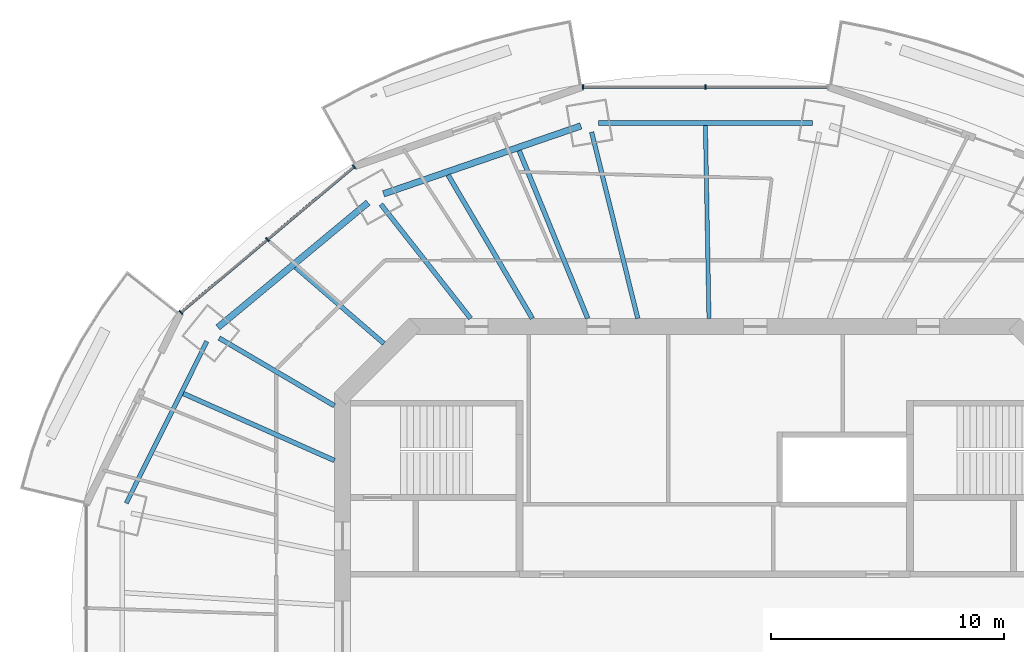
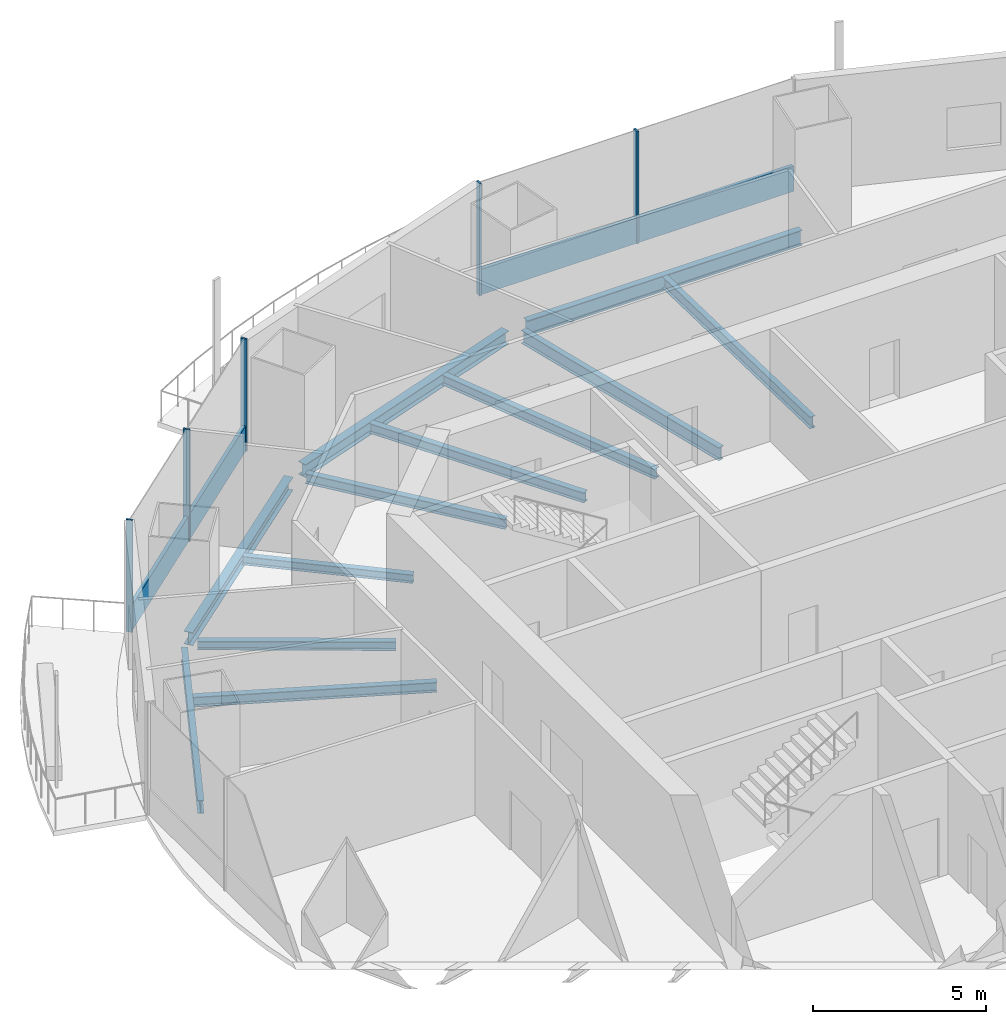
# One storey, part 5 of 16: 12 beams, 7 members, 2 elements without a shape of their own.
"""IFC4 building model written with IfcOpenShell, lengths in metres."""

from ifc_helpers import new_model, si_unit, direction, frame, origin, origin_2d, place, context, subcontext, project, spatial, rectangle, i_section, extrude, material, material_profile, profile_set, type_object, element, aggregate, save


model = new_model("IFC4")

# Units and contexts
model_context = context("Model", 3, precision=1e-05, world=origin(), true_north=direction((0.0, 1.0)))
body_context = subcontext(model_context, "Body", "Model", "MODEL_VIEW")
ifc_project = project(units=[si_unit("LENGTHUNIT", "METRE"), si_unit("AREAUNIT", "SQUARE_METRE"), si_unit("VOLUMEUNIT", "CUBIC_METRE"), si_unit("PLANEANGLEUNIT", "RADIAN"), si_unit("MASSUNIT", "GRAM", prefix="KILO")], contexts=[model_context])

# Site, building, storey
site_placement = place(None, origin())
site = spatial("IfcSite", under=ifc_project, at=site_placement, CompositionType="ELEMENT")
building_placement = place(site_placement, origin())
building = spatial("IfcBuilding", under=site, at=building_placement, Name="Marenthal Gate Tower", CompositionType="ELEMENT")
storey_placement = place(building_placement, frame((0.0, 0.0, 338.449951171875)))
storey = spatial("IfcBuildingStorey", under=building, at=storey_placement, Name="L76", CompositionType="ELEMENT", Elevation=338.449951171875)

# Curtain wall, members
ifc_material_1 = material(Name="Aluminium and glass", Category="aluminium")
curtain_wall_type = type_object("IfcCurtainWallType", Name="Curtain wall typical high", PredefinedType="NOTDEFINED", material=ifc_material_1)
curtain_wall_1_placement = place(storey_placement, origin())
curtain_wall_1 = element("IfcCurtainWall", 1, at=curtain_wall_1_placement, inside=storey, type_object=curtain_wall_type, Name="Curtain wall L76 bay 4", PredefinedType="NOTDEFINED")
ifc_material_2 = material(Name="Aluminium", Category="aluminium")
ifc_material_profile_1 = material_profile(ifc_material_2, rectangle(XDim=0.199951171875, YDim=0.06005859375, at=origin_2d()), Name="60x200 aluminium mullion")
ifc_profile_set_1 = profile_set([ifc_material_profile_1], Name="Aluminium")
member_type_1 = type_object("IfcMemberType", Name="Mullion 60x200 typical high", PredefinedType="MULLION", material=ifc_profile_set_1)
member_1_placement = place(storey_placement, frame((-0.39990234375, 23.302978515625, 0.0), z_axis=(0.0, 0.0, 1.0), x_axis=(0.0, -1.0, 0.0)))
member_1 = element("IfcMember", 2, at=member_1_placement, type_object=member_type_1, Name="Mullion L76 bay 4.2", PredefinedType="MULLION", context=body_context, shape_type="SweptSolid", body=[
    extrude(rectangle(XDim=0.199951171875, YDim=0.06005859375, at=origin_2d()), origin(), (0.0, 0.0, 1.0), 3.969970703125),
])
member_2_placement = place(storey_placement, frame((-5.66650390625, 23.302978515625, 0.0), z_axis=(0.0, 0.0, 1.0), x_axis=(0.0, -1.0, 0.0)))
member_2 = element("IfcMember", 3, at=member_2_placement, type_object=member_type_1, Name="Mullion L76 bay 4.3", PredefinedType="MULLION", context=body_context, shape_type="SweptSolid", body=[
    extrude(rectangle(XDim=0.199951171875, YDim=0.06005859375, at=origin_2d()), origin(), (0.0, 0.0, 1.0), 3.969970703125),
])

curtain_wall_2_placement = place(storey_placement, origin())
curtain_wall_2 = element("IfcCurtainWall", 4, at=curtain_wall_2_placement, inside=storey, type_object=curtain_wall_type, Name="Curtain wall L76 bay 6", PredefinedType="NOTDEFINED")
member_3_placement = place(storey_placement, frame((-15.506103515625, 19.873046875, 0.0), z_axis=(0.0, 0.0, 1.0), x_axis=(0.643800653639, -0.765193255572, 0.0)))
member_3 = element("IfcMember", 5, at=member_3_placement, type_object=member_type_1, Name="Mullion L76 bay 6.1", PredefinedType="MULLION", context=body_context, shape_type="SweptSolid", body=[
    extrude(rectangle(XDim=0.199951171875, YDim=0.06005859375, at=origin_2d()), origin(), (0.0, 0.0, 1.0), 3.969970703125),
])
member_4_placement = place(storey_placement, frame((-19.228271484375, 16.741455078125, 0.0), z_axis=(0.0, 0.0, 1.0), x_axis=(0.643800653639, -0.765193255572, 0.0)))
member_4 = element("IfcMember", 6, at=member_4_placement, type_object=member_type_1, Name="Mullion L76 bay 6.2", PredefinedType="MULLION", context=body_context, shape_type="SweptSolid", body=[
    extrude(rectangle(XDim=0.199951171875, YDim=0.06005859375, at=origin_2d()), origin(), (0.0, 0.0, 1.0), 3.969970703125),
])
member_5_placement = place(storey_placement, frame((-22.95068359375, 13.609619140625, 0.0), z_axis=(0.0, 0.0, 1.0), x_axis=(0.643800653639, -0.765193255572, 0.0)))
member_5 = element("IfcMember", 7, at=member_5_placement, type_object=member_type_1, Name="Mullion L76 bay 6.3", PredefinedType="MULLION", context=body_context, shape_type="SweptSolid", body=[
    extrude(rectangle(XDim=0.199951171875, YDim=0.06005859375, at=origin_2d()), origin(), (0.0, 0.0, 1.0), 3.969970703125),
])

# Member
ifc_material_3 = material(Name="Aluminium", Category="aluminium")
ifc_material_profile_2 = material_profile(ifc_material_3, rectangle(XDim=0.1201171875, YDim=0.89990234375, at=origin_2d()), Name="120x900 aluminium transom")
ifc_profile_set_2 = profile_set([ifc_material_profile_2], Name="Aluminium")
member_type_2 = type_object("IfcMemberType", Name="Transom 120x900 typical high", PredefinedType="USERDEFINED", material=ifc_profile_set_2)
member_6_placement = place(storey_placement, frame((4.83642578125, 23.302978515625, 0.449951171875), z_axis=(-1.0, 0.0, 0.0), x_axis=(0.0, -1.0, 0.0)))
member_6 = element("IfcMember", 8, at=member_6_placement, type_object=member_type_2, Name="Transom L76 bay 4", ObjectType="TRANSOM", PredefinedType="USERDEFINED", context=body_context, shape_type="SweptSolid", body=[
    extrude(rectangle(XDim=0.1201171875, YDim=0.89990234375, at=origin_2d()), origin(), (0.0, 0.0, 1.0), 10.472900390625),
])

aggregate(curtain_wall_1, [member_1, member_2, member_6])

member_7_placement = place(storey_placement, frame((-15.529052734375, 19.853759765625, 0.449951171875), z_axis=(-0.765197260539, -0.643795893482, 0.0), x_axis=(0.643795893482, -0.765197260539, 0.0)))
member_7 = element("IfcMember", 9, at=member_7_placement, type_object=member_type_2, Name="Transom L76 bay 6", ObjectType="TRANSOM", PredefinedType="USERDEFINED", context=body_context, shape_type="SweptSolid", body=[
    extrude(rectangle(XDim=0.1201171875, YDim=0.89990234375, at=origin_2d()), origin(), (0.0, 0.0, 1.0), 9.6689453125),
])

aggregate(curtain_wall_2, [member_3, member_4, member_5, member_7])

# Beams
ifc_material_4 = material(Name="Steel S355", Category="steel")
ifc_material_profile_3 = material_profile(ifc_material_4, i_section(OverallWidth=0.202880859375, OverallDepth=0.302001953125, WebThickness=0.007568359375, FlangeThickness=0.01318359375, FilletRadius=0.0126953125, at=origin_2d()), Name="W310X60")
ifc_profile_set_3 = profile_set([ifc_material_profile_3], Name="Steel S355")
beam_type_1 = type_object("IfcBeamType", Name="W310X60 beam", PredefinedType="BEAM", material=ifc_profile_set_3)
beam_1_placement = place(storey_placement, frame((-18.025390625, 15.55322265625, -0.3310546875), z_axis=(0.757114770314, -0.653281887528, 0.0), x_axis=(0.653281887528, 0.757114770314, 0.0)))
element("IfcBeam", 10, at=beam_1_placement, inside=storey, type_object=beam_type_1, Name="BM-L76-25", PredefinedType="BEAM", context=body_context, shape_type="SweptSolid", body=[
    extrude(i_section(OverallWidth=0.202880859375, OverallDepth=0.302001953125, WebThickness=0.007568359375, FlangeThickness=0.01318359375, FilletRadius=0.0126953125, at=origin_2d()), origin(), (0.0, 0.0, 1.0), 5.0224609375),
])
ifc_material_5 = material(Name="Steel S355", Category="steel")
ifc_material_profile_4 = material_profile(ifc_material_5, i_section(OverallWidth=0.205078125, OverallDepth=0.31005859375, WebThickness=0.009521484375, FlangeThickness=0.016357421875, FilletRadius=0.0126953125, at=origin_2d()), Name="W310X74")
ifc_profile_set_4 = profile_set([ifc_material_profile_4], Name="Steel S355")
beam_type_2 = type_object("IfcBeamType", Name="W310X74 beam", PredefinedType="BEAM", material=ifc_profile_set_4)
beam_2_placement = place(storey_placement, frame((-21.306396484375, 12.505126953125, -0.3349609375), z_axis=(0.862430700738, -0.506175153899, 0.0), x_axis=(0.506175153899, 0.862430700738, 0.0)))
element("IfcBeam", 11, at=beam_2_placement, inside=storey, type_object=beam_type_2, Name="BM-L76-07", PredefinedType="BEAM", context=body_context, shape_type="SweptSolid", body=[
    extrude(i_section(OverallWidth=0.205078125, OverallDepth=0.31005859375, WebThickness=0.009521484375, FlangeThickness=0.016357421875, FilletRadius=0.0126953125, at=origin_2d()), origin(), (0.0, 0.0, 1.0), 5.746826171875),
])
ifc_material_6 = material(Name="Steel S355", Category="steel")
ifc_material_profile_5 = material_profile(ifc_material_6, i_section(OverallWidth=0.205078125, OverallDepth=0.35302734375, WebThickness=0.009521484375, FlangeThickness=0.016845703125, FilletRadius=0.014892578125, at=origin_2d()), Name="W360X79")
ifc_profile_set_5 = profile_set([ifc_material_profile_5], Name="Steel S355")
beam_type_3 = type_object("IfcBeamType", Name="W360X79 beam", PredefinedType="BEAM", material=ifc_profile_set_5)
beam_3_placement = place(storey_placement, frame((-14.35107421875, 18.255126953125, -0.3564453125), z_axis=(0.618044451996, -0.78614315195, 0.0), x_axis=(0.78614315195, 0.618044451996, 0.0)))
element("IfcBeam", 12, at=beam_3_placement, inside=storey, type_object=beam_type_3, Name="BM-L76-06", PredefinedType="BEAM", context=body_context, shape_type="SweptSolid", body=[
    extrude(i_section(OverallWidth=0.205078125, OverallDepth=0.35302734375, WebThickness=0.009521484375, FlangeThickness=0.016845703125, FilletRadius=0.014892578125, at=origin_2d()), origin(), (0.0, 0.0, 1.0), 6.2392578125),
])
beam_4_placement = place(storey_placement, frame((-8.40771484375, 20.56591796875, -0.3564453125), z_axis=(0.378415770865, -0.925635729842, 0.0), x_axis=(0.925635729842, 0.378415770865, 0.0)))
element("IfcBeam", 13, at=beam_4_placement, inside=storey, type_object=beam_type_3, Name="BM-L76-23", PredefinedType="BEAM", context=body_context, shape_type="SweptSolid", body=[
    extrude(i_section(OverallWidth=0.205078125, OverallDepth=0.35302734375, WebThickness=0.009521484375, FlangeThickness=0.016845703125, FilletRadius=0.014892578125, at=origin_2d()), origin(), (0.0, 0.0, 1.0), 7.79541015625),
])
beam_5_placement = place(storey_placement, frame((-11.4609375, 19.514404296875, -0.3564453125), z_axis=(0.506427497375, -0.862282546444, 0.0), x_axis=(0.862282546444, 0.506427497375, 0.0)))
element("IfcBeam", 14, at=beam_5_placement, inside=storey, type_object=beam_type_3, Name="BM-L76-24", PredefinedType="BEAM", context=body_context, shape_type="SweptSolid", body=[
    extrude(i_section(OverallWidth=0.205078125, OverallDepth=0.35302734375, WebThickness=0.009521484375, FlangeThickness=0.016845703125, FilletRadius=0.014892578125, at=origin_2d()), origin(), (0.0, 0.0, 1.0), 7.14892578125),
])
beam_6_placement = place(storey_placement, frame((-22.844970703125, 10.118896484375, -0.3564453125), z_axis=(0.914328119374, -0.404974184513, 0.0), x_axis=(0.404974184513, 0.914328119374, 0.0)))
element("IfcBeam", 15, at=beam_6_placement, inside=storey, type_object=beam_type_3, Name="BM-L76-26", PredefinedType="BEAM", context=body_context, shape_type="SweptSolid", body=[
    extrude(i_section(OverallWidth=0.205078125, OverallDepth=0.35302734375, WebThickness=0.009521484375, FlangeThickness=0.016845703125, FilletRadius=0.014892578125, at=origin_2d()), origin(), (0.0, 0.0, 1.0), 7.103515625),
])
ifc_material_7 = material(Name="Steel S355", Category="steel")
ifc_material_profile_6 = material_profile(ifc_material_7, i_section(OverallWidth=0.180908203125, OverallDepth=0.4169921875, WebThickness=0.010986328125, FlangeThickness=0.018310546875, FilletRadius=0.01025390625, at=origin_2d()), Name="W410X85")
ifc_profile_set_6 = profile_set([ifc_material_profile_6], Name="Steel S355")
beam_type_4 = type_object("IfcBeamType", Name="W410X85 beam", PredefinedType="BEAM", material=ifc_profile_set_6)
beam_7_placement = place(storey_placement, frame((-0.398193359375, 21.6474609375, -0.388427734375), z_axis=(0.018386816413, -0.999830948202, 0.0), x_axis=(0.999830948202, 0.018386816413, 0.0)))
element("IfcBeam", 16, at=beam_7_placement, inside=storey, type_object=beam_type_4, Name="BM-L76-22", PredefinedType="BEAM", context=body_context, shape_type="SweptSolid", body=[
    extrude(i_section(OverallWidth=0.180908203125, OverallDepth=0.4169921875, WebThickness=0.010986328125, FlangeThickness=0.018310546875, FilletRadius=0.01025390625, at=origin_2d()), origin(), (0.0, 0.0, 1.0), 8.298828125),
])
ifc_material_8 = material(Name="Steel S355", Category="steel")
ifc_material_profile_7 = material_profile(ifc_material_8, i_section(OverallWidth=0.279052734375, OverallDepth=0.4619140625, WebThickness=0.0107421875, FlangeThickness=0.017333984375, FilletRadius=0.010009765625, at=origin_2d()), Name="W460X113")
ifc_profile_set_7 = profile_set([ifc_material_profile_7], Name="Steel S355")
beam_type_5 = type_object("IfcBeamType", Name="W460X113 beam", PredefinedType="BEAM", material=ifc_profile_set_7)
beam_8_placement = place(storey_placement, frame((-5.754638671875, 21.627197265625, -0.410888671875), z_axis=(-0.945488011272, -0.325656906176, 0.0), x_axis=(0.325656906176, -0.945488011272, 0.0)))
element("IfcBeam", 17, at=beam_8_placement, inside=storey, type_object=beam_type_5, Name="BM-L76-45", PredefinedType="BEAM", context=body_context, shape_type="SweptSolid", body=[
    extrude(i_section(OverallWidth=0.279052734375, OverallDepth=0.4619140625, WebThickness=0.0107421875, FlangeThickness=0.017333984375, FilletRadius=0.010009765625, at=origin_2d()), origin(), (0.0, 0.0, 1.0), 8.97216796875),
])
beam_9_placement = place(storey_placement, frame((-14.905517578125, 18.3291015625, -0.410888671875), z_axis=(-0.768883818617, -0.639388515277, 0.0), x_axis=(0.639388515277, -0.768883818617, 0.0)))
element("IfcBeam", 18, at=beam_9_placement, inside=storey, type_object=beam_type_5, Name="BM-L76-46", PredefinedType="BEAM", context=body_context, shape_type="SweptSolid", body=[
    extrude(i_section(OverallWidth=0.279052734375, OverallDepth=0.4619140625, WebThickness=0.0107421875, FlangeThickness=0.017333984375, FilletRadius=0.010009765625, at=origin_2d()), origin(), (0.0, 0.0, 1.0), 8.3916015625),
])
ifc_material_9 = material(Name="Steel S355", Category="steel")
ifc_material_profile_8 = material_profile(ifc_material_9, i_section(OverallWidth=0.19091796875, OverallDepth=0.45703125, WebThickness=0.009033203125, FlangeThickness=0.014404296875, FilletRadius=0.01025390625, at=origin_2d()), Name="W460X74")
ifc_profile_set_8 = profile_set([ifc_material_profile_8], Name="Steel S355")
beam_type_6 = type_object("IfcBeamType", Name="W460X74 beam", PredefinedType="BEAM", material=ifc_profile_set_8)
beam_10_placement = place(storey_placement, frame((-21.836181640625, 12.3583984375, -0.408447265625), z_axis=(-0.445880705054, -0.895092395712, 0.0), x_axis=(0.895092395712, -0.445880705054, 0.0)))
element("IfcBeam", 19, at=beam_10_placement, inside=storey, type_object=beam_type_6, Name="BM-L76-47", PredefinedType="BEAM", context=body_context, shape_type="SweptSolid", body=[
    extrude(i_section(OverallWidth=0.19091796875, OverallDepth=0.45703125, WebThickness=0.009033203125, FlangeThickness=0.014404296875, FilletRadius=0.01025390625, at=origin_2d()), origin(), (0.0, 0.0, 1.0), 7.76904296875),
])
ifc_material_10 = material(Name="Steel S355", Category="steel")
ifc_material_profile_9 = material_profile(ifc_material_10, i_section(OverallWidth=0.193115234375, OverallDepth=0.467041015625, WebThickness=0.011474609375, FlangeThickness=0.01904296875, FilletRadius=0.010009765625, at=origin_2d()), Name="W460X97")
ifc_profile_set_9 = profile_set([ifc_material_profile_9], Name="Steel S355")
beam_type_7 = type_object("IfcBeamType", Name="W460X97 beam", PredefinedType="BEAM", material=ifc_profile_set_9)
beam_11_placement = place(storey_placement, frame((-5.29150390625, 21.362548828125, -0.413330078125), z_axis=(0.240426429906, -0.970667364138, 0.0), x_axis=(0.970667364138, 0.240426429906, 0.0)))
element("IfcBeam", 20, at=beam_11_placement, inside=storey, type_object=beam_type_7, Name="BM-L76-05", PredefinedType="BEAM", context=body_context, shape_type="SweptSolid", body=[
    extrude(i_section(OverallWidth=0.193115234375, OverallDepth=0.467041015625, WebThickness=0.011474609375, FlangeThickness=0.01904296875, FilletRadius=0.010009765625, at=origin_2d()), origin(), (0.0, 0.0, 1.0), 8.254638671875),
])
ifc_material_11 = material(Name="Steel S355", Category="steel")
ifc_material_profile_10 = material_profile(ifc_material_11, i_section(OverallWidth=0.2119140625, OverallDepth=0.5439453125, WebThickness=0.01318359375, FlangeThickness=0.021240234375, FilletRadius=0.0126953125, at=origin_2d()), Name="W530X123")
ifc_profile_set_10 = profile_set([ifc_material_profile_10], Name="Steel S355")
beam_type_8 = type_object("IfcBeamType", Name="W530X123 beam", PredefinedType="BEAM", material=ifc_profile_set_10)
beam_12_placement = place(storey_placement, frame((4.201416015625, 21.75341796875, -0.451904296875), z_axis=(-1.0, 0.0, 0.0), x_axis=(0.0, -1.0, 0.0)))
element("IfcBeam", 21, at=beam_12_placement, inside=storey, type_object=beam_type_8, Name="BM-L76-44", PredefinedType="BEAM", context=body_context, shape_type="SweptSolid", body=[
    extrude(i_section(OverallWidth=0.2119140625, OverallDepth=0.5439453125, WebThickness=0.01318359375, FlangeThickness=0.021240234375, FilletRadius=0.0126953125, at=origin_2d()), origin(), (0.0, 0.0, 1.0), 9.202880859375),
])

save(model, "model.ifc")
